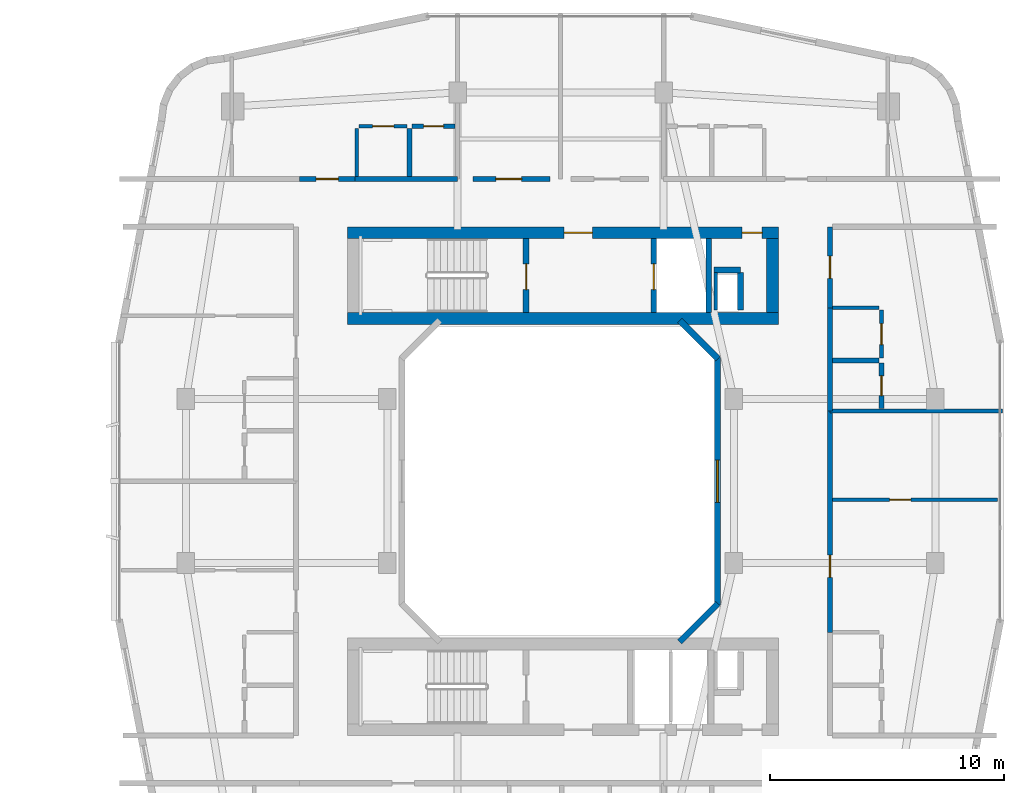
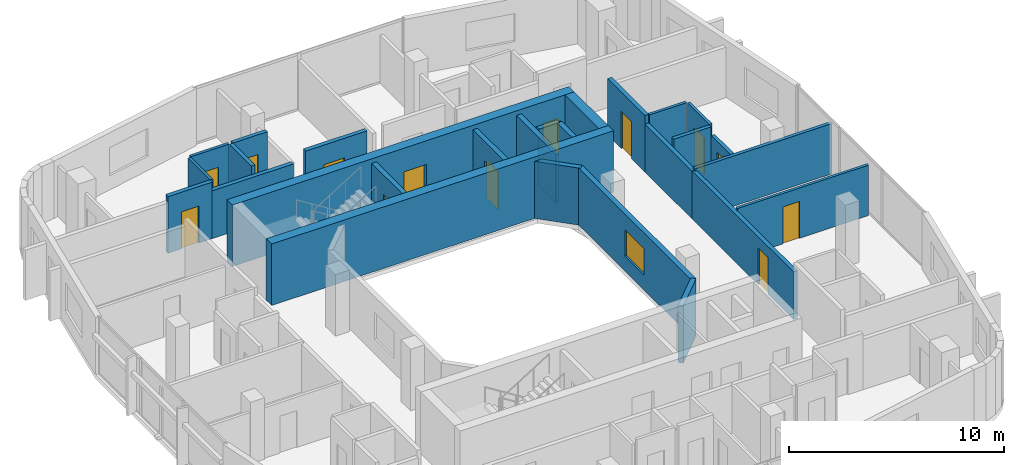
# One storey, part 19 of 26: 28 walls, 13 doors, 1 window, 14 openings.
"""IFC4 building model written with IfcOpenShell, lengths in metres."""

from ifc_helpers import new_model, si_unit, derived_unit, direction, frame, frame_2d, origin, place, context, subcontext, project, spatial, rectangle, extrude, material, layer, layer_set, type_object, element, fill, save


model = new_model("IFC4")

# Units and contexts
model_context = context("Model", 3, precision=1e-05, world=origin(), true_north=direction((0.0, 1.0)))
body_context = subcontext(model_context, "Body", "Model", "MODEL_VIEW")
ifc_project = project(units=[si_unit("LENGTHUNIT", "METRE"), si_unit("AREAUNIT", "SQUARE_METRE"), si_unit("VOLUMEUNIT", "CUBIC_METRE"), si_unit("PLANEANGLEUNIT", "RADIAN"), si_unit("MASSUNIT", "GRAM", prefix="KILO"), derived_unit("THERMALTRANSMITTANCEUNIT", [(si_unit("POWERUNIT", "WATT"), 1), (si_unit("LENGTHUNIT", "METRE"), -2), (si_unit("THERMODYNAMICTEMPERATUREUNIT", "KELVIN"), -1)])], contexts=[model_context])

# Site, building, storey
site_placement = place(None, origin())
site = spatial("IfcSite", under=ifc_project, at=site_placement, CompositionType="ELEMENT")
building_placement = place(site_placement, origin())
building = spatial("IfcBuilding", under=site, at=building_placement, Name="Kivonza Crest Hotel", CompositionType="ELEMENT")
storey_placement = place(building_placement, frame((0.0, 0.0, 62.5)))
storey = spatial("IfcBuildingStorey", under=building, at=storey_placement, Name="L16", CompositionType="ELEMENT", Elevation=62.5)

# Walls
ifc_material_1 = material(Name="High-density acoustic masonry inter-tenancy wall", Category="masonry")
ifc_layer_1 = layer(ifc_material_1, 0.179931640625)
ifc_layer_set_1 = layer_set([ifc_layer_1], Name="High-density acoustic masonry inter-tenancy wall")
wall_type_1 = type_object("IfcWallType", Name="WL-ACOU-180", PredefinedType="SOLIDWALL", material=ifc_layer_set_1)
wall_1_placement = place(storey_placement, frame((88.5, 28.0, 0.0), z_axis=(0.0, 0.0, 1.0), x_axis=(1.0, 0.0, 0.0)))
element("IfcWall", 1, at=wall_1_placement, inside=storey, type_object=wall_type_1, Name="L16 interior partition WA-L16-T2E-DIV1", PredefinedType="SOLIDWALL", context=body_context, shape_type="SweptSolid", body=[
    extrude(rectangle(XDim=7.360107421875, YDim=0.179931640625, at=frame_2d((3.68017578125, 0.0))), origin(), (0.0, 0.0, 1.0), 2.864990234375),
])
ifc_material_2 = material(Name="Autoclaved aerated concrete blockwork", Category="masonry")
ifc_layer_2 = layer(ifc_material_2, 0.219970703125)
ifc_layer_set_2 = layer_set([ifc_layer_2], Name="Autoclaved aerated concrete blockwork")
wall_type_2 = type_object("IfcWallType", Name="WL-ACOU-220", PredefinedType="SOLIDWALL", material=ifc_layer_set_2)
wall_2_placement = place(storey_placement, frame((68.219970703125, 37.89990234375, 0.0), z_axis=(0.0, 0.0, 1.0), x_axis=(1.0, 0.0, 0.0)))
element("IfcWall", 2, at=wall_2_placement, inside=storey, type_object=wall_type_2, Name="L16 interior partition WA-L16-A01-RCORR", PredefinedType="SOLIDWALL", context=body_context, shape_type="SweptSolid", body=[
    extrude(rectangle(XDim=4.380126953125, YDim=0.219970703125, at=frame_2d((2.18994140625, 0.0))), origin(), (0.0, 0.0, 1.0), 2.72509765625),
])

# Wall, opening, door
wall_3_placement = place(storey_placement, frame((65.85009765625, 37.89990234375, 0.0), z_axis=(0.0, 0.0, 1.0), x_axis=(1.0, 0.0, 0.0)))
wall_3 = element("IfcWall", 3, at=wall_3_placement, inside=storey, type_object=wall_type_2, Name="L16 interior partition WA-L16-A01-MCORR", PredefinedType="SOLIDWALL", context=body_context, shape_type="SweptSolid", body=[
    extrude(rectangle(XDim=2.369873046875, YDim=0.219970703125, at=frame_2d((1.18505859375, 0.0))), origin(), (0.0, 0.0, 1.0), 3.219970703125),
])
opening_1_placement = place(wall_3_placement, frame((0.7099609375, 0.0, 0.0)))
opening_1 = element("IfcOpeningElement", 4, at=opening_1_placement, cuts=wall_3, Name="Opening DU-60", PredefinedType="OPENING", context=body_context, shape_type="SweptSolid", body=[
    extrude(rectangle(XDim=0.949951171875, YDim=2.10009765625, at=frame_2d((0.47509765625, 1.050048828125))), frame((0.0, 0.1201171875, 0.0), z_axis=(0.0, -1.0, 0.0), x_axis=(1.0, 0.0, 0.0)), (0.0, 0.0, 1.0), 0.239990234375),
])
ifc_material_3 = material(Name="Hardwood timber oak", Category="wood")
door_type_1 = type_object("IfcDoorType", Name="DR-UNIT-950", OperationType="NOTDEFINED", PredefinedType="DOOR", material=ifc_material_3)
door_1_placement = place(opening_1_placement, origin())
door_1 = element("IfcDoor", 5, at=door_1_placement, inside=storey, type_object=door_type_1, Name="L16 A01 apartment entrance fire door", OperationType="SINGLE_SWING_LEFT", OverallHeight=2.10009765625, OverallWidth=0.949951171875, PredefinedType="DOOR", context=body_context, shape_type="SweptSolid", body=[
    extrude(rectangle(XDim=0.949951171875, YDim=2.10009765625, at=frame_2d((0.47509765625, 1.050048828125))), frame((0.0, 0.02490234375, 0.0), z_axis=(0.0, -1.0, 0.0), x_axis=(1.0, 0.0, 0.0)), (0.0, 0.0, 1.0), 0.050048828125),
])
fill(opening_1, door_1)

wall_4_placement = place(storey_placement, frame((73.25, 37.89990234375, 0.0), z_axis=(0.0, 0.0, 1.0), x_axis=(1.0, 0.0, 0.0)))
wall_4 = element("IfcWall", 6, at=wall_4_placement, inside=storey, type_object=wall_type_2, Name="L16 interior partition WA-L16-T2-OFF1-S", PredefinedType="SOLIDWALL", context=body_context, shape_type="SweptSolid", body=[
    extrude(rectangle(XDim=3.300048828125, YDim=0.219970703125, at=frame_2d((1.64990234375, 0.0))), origin(), (0.0, 0.0, 1.0), 3.219970703125),
])
opening_2_placement = place(wall_4_placement, frame((0.97998046875, 0.0, 0.0)))
opening_2 = element("IfcOpeningElement", 7, at=opening_2_placement, cuts=wall_4, Name="Opening DF-60M", PredefinedType="OPENING", context=body_context, shape_type="SweptSolid", body=[
    extrude(rectangle(XDim=1.10009765625, YDim=2.10009765625, at=frame_2d((0.550048828125, 1.050048828125))), frame((0.0, 0.1201171875, 0.0), z_axis=(0.0, -1.0, 0.0), x_axis=(1.0, 0.0, 0.0)), (0.0, 0.0, 1.0), 0.239990234375),
])
door_type_2 = type_object("IfcDoorType", Name="DR-FD60-1100", OperationType="NOTDEFINED", PredefinedType="DOOR", material=ifc_material_3)
door_2_placement = place(opening_2_placement, origin())
door_2 = element("IfcDoor", 8, at=door_2_placement, inside=storey, type_object=door_type_2, Name="L16 Resident Co-Working Study West door", OperationType="SINGLE_SWING_RIGHT", OverallHeight=2.10009765625, OverallWidth=1.10009765625, PredefinedType="DOOR", context=body_context, shape_type="SweptSolid", body=[
    extrude(rectangle(XDim=1.10009765625, YDim=2.10009765625, at=frame_2d((0.550048828125, 1.050048828125))), frame((0.0, 0.02490234375, 0.0), z_axis=(0.0, -1.0, 0.0), x_axis=(1.0, 0.0, 0.0)), (0.0, 0.0, 1.0), 0.050048828125),
])
fill(opening_2, door_2)

wall_5_placement = place(storey_placement, frame((88.5, 18.5400390625, 0.0), z_axis=(0.0, 0.0, 1.0), x_axis=(0.0, 1.0, 0.0)))
wall_5 = element("IfcWall", 9, at=wall_5_placement, inside=storey, type_object=wall_type_2, Name="L16 interior partition WA-L16-A07-MCORR", PredefinedType="SOLIDWALL", context=body_context, shape_type="SweptSolid", body=[
    extrude(rectangle(XDim=9.4599609375, YDim=0.219970703125, at=frame_2d((4.72998046875, 0.0))), origin(), (0.0, 0.0, 1.0), 2.72509765625),
])
opening_3_placement = place(wall_5_placement, frame((2.35498046875, 0.0, 0.0)))
opening_3 = element("IfcOpeningElement", 10, at=opening_3_placement, cuts=wall_5, Name="Opening DU-60", PredefinedType="OPENING", context=body_context, shape_type="SweptSolid", body=[
    extrude(rectangle(XDim=0.949951171875, YDim=2.10009765625, at=frame_2d((0.47509765625, 1.050048828125))), frame((0.0, 0.1201171875, 0.0), z_axis=(0.0, -1.0, 0.0), x_axis=(1.0, 0.0, 0.0)), (0.0, 0.0, 1.0), 0.239990234375),
])
door_3_placement = place(opening_3_placement, frame((0.949951171875, 0.0, 0.0), z_axis=(0.0, 0.0, 1.0), x_axis=(-1.0, 0.0, 0.0)))
door_3 = element("IfcDoor", 11, at=door_3_placement, inside=storey, type_object=door_type_1, Name="L16 A07 apartment entrance fire door", OperationType="SINGLE_SWING_LEFT", OverallHeight=2.10009765625, OverallWidth=0.949951171875, PredefinedType="DOOR", context=body_context, shape_type="SweptSolid", body=[
    extrude(rectangle(XDim=0.949951171875, YDim=2.10009765625, at=frame_2d((0.47509765625, 1.050048828125))), frame((0.0, 0.02490234375, 0.0), z_axis=(0.0, -1.0, 0.0), x_axis=(1.0, 0.0, 0.0)), (0.0, 0.0, 1.0), 0.050048828125),
])
fill(opening_3, door_3)

# Wall
wall_6_placement = place(storey_placement, frame((88.5, 28.0, 0.0), z_axis=(0.0, 0.0, 1.0), x_axis=(0.0, 1.0, 0.0)))
element("IfcWall", 12, at=wall_6_placement, inside=storey, type_object=wall_type_2, Name="L16 interior partition WA-L16-A08-BCORR", PredefinedType="SOLIDWALL", context=body_context, shape_type="SweptSolid", body=[
    extrude(rectangle(XDim=4.39990234375, YDim=0.219970703125, at=frame_2d((2.199951171875, 0.0))), origin(), (0.0, 0.0, 1.0), 2.72509765625),
])

# Wall, opening, door
wall_7_placement = place(storey_placement, frame((88.5, 32.39990234375, 0.0), z_axis=(0.0, 0.0, 1.0), x_axis=(0.0, 1.0, 0.0)))
wall_7 = element("IfcWall", 13, at=wall_7_placement, inside=storey, type_object=wall_type_2, Name="L16 interior partition WA-L16-A08-MCORR", PredefinedType="SOLIDWALL", context=body_context, shape_type="SweptSolid", body=[
    extrude(rectangle(XDim=3.460205078125, YDim=0.219970703125, at=frame_2d((1.72998046875, 0.0))), origin(), (0.0, 0.0, 1.0), 3.219970703125),
])
opening_4_placement = place(wall_7_placement, frame((1.2548828125, 0.0, 0.0)))
opening_4 = element("IfcOpeningElement", 14, at=opening_4_placement, cuts=wall_7, Name="Opening DU-60", PredefinedType="OPENING", context=body_context, shape_type="SweptSolid", body=[
    extrude(rectangle(XDim=0.949951171875, YDim=2.10009765625, at=frame_2d((0.47509765625, 1.050048828125))), frame((0.0, 0.1201171875, 0.0), z_axis=(0.0, -1.0, 0.0), x_axis=(1.0, 0.0, 0.0)), (0.0, 0.0, 1.0), 0.239990234375),
])
door_4_placement = place(opening_4_placement, frame((0.949951171875, 0.0, 0.0), z_axis=(0.0, 0.0, 1.0), x_axis=(-1.0, 0.0, 0.0)))
door_4 = element("IfcDoor", 15, at=door_4_placement, inside=storey, type_object=door_type_1, Name="L16 A08 apartment entrance fire door", OperationType="SINGLE_SWING_RIGHT", OverallHeight=2.10009765625, OverallWidth=0.949951171875, PredefinedType="DOOR", context=body_context, shape_type="SweptSolid", body=[
    extrude(rectangle(XDim=0.949951171875, YDim=2.10009765625, at=frame_2d((0.47509765625, 1.050048828125))), frame((0.0, 0.02490234375, 0.0), z_axis=(0.0, -1.0, 0.0), x_axis=(1.0, 0.0, 0.0)), (0.0, 0.0, 1.0), 0.050048828125),
])
fill(opening_4, door_4)

# Wall
ifc_material_4 = material(Name="Concrete C60/75", Category="concrete")
ifc_layer_3 = layer(ifc_material_4, 0.5)
ifc_layer_set_3 = layer_set([ifc_layer_3], Name="Concrete C60/75")
wall_type_3 = type_object("IfcWallType", Name="WL-CORE-500", PredefinedType="SHEAR", material=ifc_layer_set_3)
wall_8_placement = place(storey_placement, frame((67.89990234375, 31.949951171875, 0.0), z_axis=(0.0, 0.0, 1.0), x_axis=(1.0, 0.0, 0.0)))
element("IfcWall", 16, at=wall_8_placement, inside=storey, type_object=wall_type_3, Name="Core wall T2-N South L16", PredefinedType="SHEAR", context=body_context, shape_type="SweptSolid", body=[
    extrude(rectangle(XDim=18.400146484375, YDim=0.5, at=frame_2d((9.2001953125, 0.0))), origin(), (0.0, 0.0, 1.0), 3.5),
])

# Wall, openings, doors
wall_9_placement = place(storey_placement, frame((67.89990234375, 35.610107421875, 0.0), z_axis=(0.0, 0.0, 1.0), x_axis=(1.0, 0.0, 0.0)))
wall_9 = element("IfcWall", 17, at=wall_9_placement, inside=storey, type_object=wall_type_3, Name="Core wall T2-N North L16", PredefinedType="SHEAR", context=body_context, shape_type="SweptSolid", body=[
    extrude(rectangle(XDim=18.400146484375, YDim=0.5, at=frame_2d((9.2001953125, 0.0))), origin(), (0.0, 0.0, 1.0), 3.5),
])
opening_5_placement = place(wall_9_placement, frame((9.25, 0.0, 0.0)))
opening_5 = element("IfcOpeningElement", 18, at=opening_5_placement, cuts=wall_9, Name="Opening DF-60", PredefinedType="OPENING", context=body_context, shape_type="SweptSolid", body=[
    extrude(rectangle(XDim=1.199951171875, YDim=2.14990234375, at=frame_2d((0.60009765625, 1.074951171875))), frame((0.0, 0.260009765625, 0.0), z_axis=(0.0, -1.0, 0.0), x_axis=(1.0, 0.0, 0.0)), (0.0, 0.0, 1.0), 0.52001953125),
])
opening_6_placement = place(wall_9_placement, frame((16.85009765625, 0.0, 0.0)))
opening_6 = element("IfcOpeningElement", 19, at=opening_6_placement, cuts=wall_9, Name="Opening DF-60R", PredefinedType="OPENING", context=body_context, shape_type="SweptSolid", body=[
    extrude(rectangle(XDim=0.85009765625, YDim=2.10009765625, at=frame_2d((0.425048828125, 1.050048828125))), frame((0.0, 0.260009765625, 0.0), z_axis=(0.0, -1.0, 0.0), x_axis=(1.0, 0.0, 0.0)), (0.0, 0.0, 1.0), 0.52001953125),
])
door_type_3 = type_object("IfcDoorType", Name="DR-FD60-1200", OperationType="NOTDEFINED", PredefinedType="DOOR", material=ifc_material_3)
door_5_placement = place(opening_5_placement, origin())
door_5 = element("IfcDoor", 20, at=door_5_placement, inside=storey, type_object=door_type_3, Name="L16 T2-N firefighting lobby fire door", OperationType="SINGLE_SWING_RIGHT", OverallHeight=2.14990234375, OverallWidth=1.199951171875, PredefinedType="DOOR", context=body_context, shape_type="SweptSolid", body=[
    extrude(rectangle(XDim=1.199951171875, YDim=2.14990234375, at=frame_2d((0.60009765625, 1.074951171875))), frame((0.0, 0.02490234375, 0.0), z_axis=(0.0, -1.0, 0.0), x_axis=(1.0, 0.0, 0.0)), (0.0, 0.0, 1.0), 0.050048828125),
])
fill(opening_5, door_5)
door_type_4 = type_object("IfcDoorType", Name="DR-FD60-850", OperationType="NOTDEFINED", PredefinedType="DOOR", material=ifc_material_3)
door_6_placement = place(opening_6_placement, origin())
door_6 = element("IfcDoor", 21, at=door_6_placement, inside=storey, type_object=door_type_4, Name="L16 T2-N core room door", OperationType="SINGLE_SWING_RIGHT", OverallHeight=2.10009765625, OverallWidth=0.85009765625, PredefinedType="DOOR", context=body_context, shape_type="SweptSolid", body=[
    extrude(rectangle(XDim=0.85009765625, YDim=2.10009765625, at=frame_2d((0.425048828125, 1.050048828125))), frame((0.0, 0.02490234375, 0.0), z_axis=(0.0, -1.0, 0.0), x_axis=(1.0, 0.0, 0.0)), (0.0, 0.0, 1.0), 0.050048828125),
])
fill(opening_6, door_6)

# Walls
wall_10_placement = place(storey_placement, frame((86.050048828125, 32.199951171875, 0.0), z_axis=(0.0, 0.0, 1.0), x_axis=(0.0, 1.0, 0.0)))
element("IfcWall", 22, at=wall_10_placement, inside=storey, type_object=wall_type_3, Name="Core wall T2-N East L16", PredefinedType="SHEAR", context=body_context, shape_type="SweptSolid", body=[
    extrude(rectangle(XDim=3.16015625, YDim=0.5, at=frame_2d((1.580078125, 0.0))), origin(), (0.0, 0.0, 1.0), 3.5),
])
ifc_material_5 = material(Name="Precast concrete C40/50", Category="concrete")
ifc_layer_4 = layer(ifc_material_5, 0.260009765625)
ifc_layer_set_4 = layer_set([ifc_layer_4], Name="Precast concrete C40/50")
wall_type_4 = type_object("IfcWallType", Name="WL-EXT-260", PredefinedType="STANDARD", material=ifc_layer_set_4)
wall_11_placement = place(storey_placement, frame((82.08203125, 18.137939453125, 0.0), z_axis=(0.0, 0.0, 1.0), x_axis=(0.707106781187, 0.707106781187, 0.0)))
element("IfcWall", 23, at=wall_11_placement, inside=storey, type_object=wall_type_4, Name="L16 T2 light-well exterior wall 2", PredefinedType="STANDARD", context=body_context, shape_type="SweptSolid", body=[
    extrude(rectangle(XDim=2.310791015625, YDim=0.260009765625, at=frame_2d((1.1552734375, 0.0))), origin(), (0.0, 0.0, 1.0), 3.25),
])

# Wall, opening, window
wall_12_placement = place(storey_placement, frame((83.68994140625, 19.7099609375, 0.0), z_axis=(0.0, 0.0, 1.0), x_axis=(0.0, 1.0, 0.0)))
wall_12 = element("IfcWall", 24, at=wall_12_placement, inside=storey, type_object=wall_type_4, Name="L16 T2 light-well exterior wall 3", PredefinedType="STANDARD", context=body_context, shape_type="SweptSolid", body=[
    extrude(rectangle(XDim=10.580078125, YDim=0.260009765625, at=frame_2d((5.2900390625, 0.0))), origin(), (0.0, 0.0, 1.0), 3.25),
])
opening_7_placement = place(wall_12_placement, frame((4.389892578125, 0.0, 0.85009765625)))
opening_7 = element("IfcOpeningElement", 25, at=opening_7_placement, cuts=wall_12, Name="Opening WN-03", PredefinedType="OPENING", context=body_context, shape_type="SweptSolid", body=[
    extrude(rectangle(XDim=1.800048828125, YDim=1.5, at=frame_2d((0.89990234375, 0.75))), frame((0.0, 0.14013671875, 0.0), z_axis=(0.0, -1.0, 0.0), x_axis=(1.0, 0.0, 0.0)), (0.0, 0.0, 1.0), 0.280029296875),
])
ifc_material_6 = material(Name="Thermally broken bronze aluminium and low-E double glazing", Category="aluminium")
window_type = type_object("IfcWindowType", Name="WN-180x150", PartitioningType="DOUBLE_PANEL_VERTICAL", PredefinedType="WINDOW", material=ifc_material_6)
window_placement = place(opening_7_placement, origin())
window = element("IfcWindow", 26, at=window_placement, inside=storey, type_object=window_type, Name="L16 T2 light-well window 3", OverallHeight=1.5, OverallWidth=1.800048828125, PartitioningType="SINGLE_PANEL", PredefinedType="WINDOW", context=body_context, shape_type="SweptSolid", body=[
    extrude(rectangle(XDim=1.800048828125, YDim=1.5, at=frame_2d((0.89990234375, 0.75))), frame((0.0, 0.030029296875, 0.0), z_axis=(0.0, -1.0, 0.0), x_axis=(1.0, 0.0, 0.0)), (0.0, 0.0, 1.0), 0.06005859375),
])
fill(opening_7, window)

# Walls
wall_13_placement = place(storey_placement, frame((83.716064453125, 30.22802734375, 0.0), z_axis=(0.0, 0.0, 1.0), x_axis=(-0.707106781187, 0.707106781187, 0.0)))
element("IfcWall", 27, at=wall_13_placement, inside=storey, type_object=wall_type_4, Name="L16 T2 light-well exterior wall 4", PredefinedType="STANDARD", context=body_context, shape_type="SweptSolid", body=[
    extrude(rectangle(XDim=2.310791015625, YDim=0.260009765625, at=frame_2d((1.1552734375, 0.0))), origin(), (0.0, 0.0, 1.0), 3.25),
])
ifc_material_7 = material(Name="Concrete blockwork fire-compartment wall", Category="masonry")
ifc_layer_5 = layer(ifc_material_7, 0.25)
ifc_layer_set_5 = layer_set([ifc_layer_5], Name="Concrete blockwork fire-compartment wall")
wall_type_5 = type_object("IfcWallType", Name="WL-FIRE-250", PredefinedType="SOLIDWALL", material=ifc_layer_set_5)
wall_14_placement = place(storey_placement, frame((84.679931640625, 32.300048828125, 0.0), z_axis=(0.0, 0.0, 1.0), x_axis=(0.0, 1.0, 0.0)))
element("IfcWall", 28, at=wall_14_placement, inside=storey, type_object=wall_type_5, Name="L16 interior partition WA-L16-T2-N-MEPR-E", PredefinedType="SOLIDWALL", context=body_context, shape_type="SweptSolid", body=[
    extrude(rectangle(XDim=1.619873046875, YDim=0.25, at=frame_2d((0.81005859375, 0.0))), origin(), (0.0, 0.0, 1.0), 3.219970703125),
])
wall_15_placement = place(storey_placement, frame((83.550048828125, 34.02001953125, 0.0), z_axis=(0.0, 0.0, 1.0), x_axis=(1.0, 0.0, 0.0)))
element("IfcWall", 29, at=wall_15_placement, inside=storey, type_object=wall_type_5, Name="L16 interior partition WA-L16-T2-N-MEPR-H", PredefinedType="SOLIDWALL", context=body_context, shape_type="SweptSolid", body=[
    extrude(rectangle(XDim=1.1298828125, YDim=0.25, at=frame_2d((0.56494140625, 0.0))), origin(), (0.0, 0.0, 1.0), 3.219970703125),
])
ifc_material_8 = material(Name="Twin-stud acoustic gypsum board partition", Category="gypsum")
ifc_layer_6 = layer(ifc_material_8, 0.14990234375)
ifc_layer_set_6 = layer_set([ifc_layer_6], Name="Twin-stud acoustic gypsum board partition")
wall_type_6 = type_object("IfcWallType", Name="WL-PART-150", PredefinedType="PARTITIONING", material=ifc_layer_set_6)
wall_16_placement = place(storey_placement, frame((83.6298828125, 32.300048828125, 0.0), z_axis=(0.0, 0.0, 1.0), x_axis=(0.0, 1.0, 0.0)))
element("IfcWall", 30, at=wall_16_placement, inside=storey, type_object=wall_type_6, Name="L16 interior partition WA-L16-T2-N-MEPR-W", PredefinedType="PARTITIONING", context=body_context, shape_type="SweptSolid", body=[
    extrude(rectangle(XDim=1.619873046875, YDim=0.14990234375, at=frame_2d((0.81005859375, 0.0))), origin(), (0.0, 0.0, 1.0), 2.72509765625),
])
wall_17_placement = place(storey_placement, frame((68.300048828125, 38.0, 0.0), z_axis=(0.0, 0.0, 1.0), x_axis=(0.0, 1.0, 0.0)))
element("IfcWall", 31, at=wall_17_placement, inside=storey, type_object=wall_type_6, Name="L16 interior partition WP-L16-A01-KF", PredefinedType="PARTITIONING", context=body_context, shape_type="SweptSolid", body=[
    extrude(rectangle(XDim=2.050048828125, YDim=0.14990234375, at=frame_2d((1.02490234375, 0.0))), origin(), (0.0, 0.0, 1.0), 3.219970703125),
])

# Wall, opening, door
wall_18_placement = place(storey_placement, frame((68.39990234375, 40.14990234375, 0.0), z_axis=(0.0, 0.0, 1.0), x_axis=(1.0, 0.0, 0.0)))
wall_18 = element("IfcWall", 32, at=wall_18_placement, inside=storey, type_object=wall_type_6, Name="L16 interior partition WP-L16-A01-KSVC", PredefinedType="PARTITIONING", context=body_context, shape_type="SweptSolid", body=[
    extrude(rectangle(XDim=2.050048828125, YDim=0.14990234375, at=frame_2d((1.02490234375, 0.0))), origin(), (0.0, 0.0, 1.0), 3.219970703125),
])
opening_8_placement = place(wall_18_placement, frame((0.574951171875, 0.0, 0.0)))
opening_8 = element("IfcOpeningElement", 33, at=opening_8_placement, cuts=wall_18, Name="Opening DI-90", PredefinedType="OPENING", context=body_context, shape_type="SweptSolid", body=[
    extrude(rectangle(XDim=0.89990234375, YDim=2.10009765625, at=frame_2d((0.449951171875, 1.050048828125))), frame((0.0, 0.0849609375, 0.0), z_axis=(0.0, -1.0, 0.0), x_axis=(1.0, 0.0, 0.0)), (0.0, 0.0, 1.0), 0.169921875),
])
door_type_5 = type_object("IfcDoorType", Name="DR-INT-900", OperationType="NOTDEFINED", PredefinedType="DOOR", material=ifc_material_3)
door_7_placement = place(opening_8_placement, origin())
door_7 = element("IfcDoor", 34, at=door_7_placement, inside=storey, type_object=door_type_5, Name="L16 A01 apartment kitchen door", OperationType="SINGLE_SWING_LEFT", OverallHeight=2.10009765625, OverallWidth=0.89990234375, PredefinedType="DOOR", context=body_context, shape_type="SweptSolid", body=[
    extrude(rectangle(XDim=0.89990234375, YDim=2.10009765625, at=frame_2d((0.449951171875, 1.050048828125))), frame((0.0, 0.02490234375, 0.0), z_axis=(0.0, -1.0, 0.0), x_axis=(1.0, 0.0, 0.0)), (0.0, 0.0, 1.0), 0.050048828125),
])
fill(opening_8, door_7)

wall_19_placement = place(storey_placement, frame((88.60009765625, 24.199951171875, 0.0), z_axis=(0.0, 0.0, 1.0), x_axis=(1.0, 0.0, 0.0)))
wall_19 = element("IfcWall", 35, at=wall_19_placement, inside=storey, type_object=wall_type_6, Name="L16 interior partition WP-L16-A07-BD1", PredefinedType="PARTITIONING", context=body_context, shape_type="SweptSolid", body=[
    extrude(rectangle(XDim=7.059814453125, YDim=0.14990234375, at=frame_2d((3.52978515625, 0.0))), origin(), (0.0, 0.0, 1.0), 2.864990234375),
])
opening_9_placement = place(wall_19_placement, frame((2.449951171875, 0.0, 0.0)))
opening_9 = element("IfcOpeningElement", 36, at=opening_9_placement, cuts=wall_19, Name="Opening DI-90", PredefinedType="OPENING", context=body_context, shape_type="SweptSolid", body=[
    extrude(rectangle(XDim=0.89990234375, YDim=2.10009765625, at=frame_2d((0.449951171875, 1.050048828125))), frame((0.0, 0.0849609375, 0.0), z_axis=(0.0, -1.0, 0.0), x_axis=(1.0, 0.0, 0.0)), (0.0, 0.0, 1.0), 0.169921875),
])
door_8_placement = place(opening_9_placement, origin())
door_8 = element("IfcDoor", 37, at=door_8_placement, inside=storey, type_object=door_type_5, Name="L16 A07 bedroom door", OperationType="SINGLE_SWING_RIGHT", OverallHeight=2.10009765625, OverallWidth=0.89990234375, PredefinedType="DOOR", context=body_context, shape_type="SweptSolid", body=[
    extrude(rectangle(XDim=0.89990234375, YDim=2.10009765625, at=frame_2d((0.449951171875, 1.050048828125))), frame((0.0, 0.02490234375, 0.0), z_axis=(0.0, -1.0, 0.0), x_axis=(1.0, 0.0, 0.0)), (0.0, 0.0, 1.0), 0.050048828125),
])
fill(opening_9, door_8)

# Wall
wall_20_placement = place(storey_placement, frame((88.60009765625, 32.39990234375, 0.0), z_axis=(0.0, 0.0, 1.0), x_axis=(1.0, 0.0, 0.0)))
element("IfcWall", 38, at=wall_20_placement, inside=storey, type_object=wall_type_6, Name="L16 interior partition WP-L16-A08-KF", PredefinedType="PARTITIONING", context=body_context, shape_type="SweptSolid", body=[
    extrude(rectangle(XDim=2.0, YDim=0.14990234375, at=frame_2d((1.0, 0.0))), origin(), (0.0, 0.0, 1.0), 3.219970703125),
])

# Wall, opening, door
wall_21_placement = place(storey_placement, frame((90.699951171875, 30.25, 0.0), z_axis=(0.0, 0.0, 1.0), x_axis=(0.0, 1.0, 0.0)))
wall_21 = element("IfcWall", 39, at=wall_21_placement, inside=storey, type_object=wall_type_6, Name="L16 interior partition WP-L16-A08-KSVC", PredefinedType="PARTITIONING", context=body_context, shape_type="SweptSolid", body=[
    extrude(rectangle(XDim=2.050048828125, YDim=0.14990234375, at=frame_2d((1.02490234375, 0.0))), origin(), (0.0, 0.0, 1.0), 3.219970703125),
])
opening_10_placement = place(wall_21_placement, frame((0.574951171875, 0.0, 0.0)))
opening_10 = element("IfcOpeningElement", 40, at=opening_10_placement, cuts=wall_21, Name="Opening DI-90", PredefinedType="OPENING", context=body_context, shape_type="SweptSolid", body=[
    extrude(rectangle(XDim=0.89990234375, YDim=2.10009765625, at=frame_2d((0.449951171875, 1.050048828125))), frame((0.0, 0.0849609375, 0.0), z_axis=(0.0, -1.0, 0.0), x_axis=(1.0, 0.0, 0.0)), (0.0, 0.0, 1.0), 0.169921875),
])
door_9_placement = place(opening_10_placement, frame((0.89990234375, 0.0, 0.0), z_axis=(0.0, 0.0, 1.0), x_axis=(-1.0, 0.0, 0.0)))
door_9 = element("IfcDoor", 41, at=door_9_placement, inside=storey, type_object=door_type_5, Name="L16 A08 apartment kitchen door", OperationType="SINGLE_SWING_RIGHT", OverallHeight=2.10009765625, OverallWidth=0.89990234375, PredefinedType="DOOR", context=body_context, shape_type="SweptSolid", body=[
    extrude(rectangle(XDim=0.89990234375, YDim=2.10009765625, at=frame_2d((0.449951171875, 1.050048828125))), frame((0.0, 0.02490234375, 0.0), z_axis=(0.0, -1.0, 0.0), x_axis=(1.0, 0.0, 0.0)), (0.0, 0.0, 1.0), 0.050048828125),
])
fill(opening_10, door_9)

# Wall
ifc_material_9 = material(Name="Moisture-resistant plumbing chase partition wall", Category="gypsum")
ifc_layer_7 = layer(ifc_material_9, 0.199951171875)
ifc_layer_set_7 = layer_set([ifc_layer_7], Name="Moisture-resistant plumbing chase partition wall")
wall_type_7 = type_object("IfcWallType", Name="WL-PLUMB-200", PredefinedType="PLUMBINGWALL", material=ifc_layer_set_7)
wall_22_placement = place(storey_placement, frame((70.550048828125, 38.0, 0.0), z_axis=(0.0, 0.0, 1.0), x_axis=(0.0, 1.0, 0.0)))
element("IfcWall", 42, at=wall_22_placement, inside=storey, type_object=wall_type_7, Name="L16 interior partition WW-L16-A01-BK", PredefinedType="PLUMBINGWALL", context=body_context, shape_type="SweptSolid", body=[
    extrude(rectangle(XDim=2.050048828125, YDim=0.199951171875, at=frame_2d((1.02490234375, 0.0))), origin(), (0.0, 0.0, 1.0), 3.219970703125),
])

# Wall, opening, door
wall_23_placement = place(storey_placement, frame((70.64990234375, 40.14990234375, 0.0), z_axis=(0.0, 0.0, 1.0), x_axis=(1.0, 0.0, 0.0)))
wall_23 = element("IfcWall", 43, at=wall_23_placement, inside=storey, type_object=wall_type_7, Name="L16 interior partition WW-L16-A01-BSVC", PredefinedType="PLUMBINGWALL", context=body_context, shape_type="SweptSolid", body=[
    extrude(rectangle(XDim=1.85009765625, YDim=0.199951171875, at=frame_2d((0.925048828125, 0.0))), origin(), (0.0, 0.0, 1.0), 3.219970703125),
])
opening_11_placement = place(wall_23_placement, frame((0.5, 0.0, 0.0)))
opening_11 = element("IfcOpeningElement", 44, at=opening_11_placement, cuts=wall_23, Name="Opening DI-85", PredefinedType="OPENING", context=body_context, shape_type="SweptSolid", body=[
    extrude(rectangle(XDim=0.85009765625, YDim=2.10009765625, at=frame_2d((0.425048828125, 1.050048828125))), frame((0.0, 0.10986328125, 0.0), z_axis=(0.0, -1.0, 0.0), x_axis=(1.0, 0.0, 0.0)), (0.0, 0.0, 1.0), 0.219970703125),
])
door_type_6 = type_object("IfcDoorType", Name="DR-INT-850", OperationType="NOTDEFINED", PredefinedType="DOOR", material=ifc_material_3)
door_10_placement = place(opening_11_placement, origin())
door_10 = element("IfcDoor", 45, at=door_10_placement, inside=storey, type_object=door_type_6, Name="L16 A01 apartment bathroom door", OperationType="SINGLE_SWING_RIGHT", OverallHeight=2.10009765625, OverallWidth=0.85009765625, PredefinedType="DOOR", context=body_context, shape_type="SweptSolid", body=[
    extrude(rectangle(XDim=0.85009765625, YDim=2.10009765625, at=frame_2d((0.425048828125, 1.050048828125))), frame((0.0, 0.02490234375, 0.0), z_axis=(0.0, -1.0, 0.0), x_axis=(1.0, 0.0, 0.0)), (0.0, 0.0, 1.0), 0.050048828125),
])
fill(opening_11, door_10)

# Wall
wall_24_placement = place(storey_placement, frame((88.60009765625, 30.14990234375, 0.0), z_axis=(0.0, 0.0, 1.0), x_axis=(1.0, 0.0, 0.0)))
element("IfcWall", 46, at=wall_24_placement, inside=storey, type_object=wall_type_7, Name="L16 interior partition WW-L16-A08-BK", PredefinedType="PLUMBINGWALL", context=body_context, shape_type="SweptSolid", body=[
    extrude(rectangle(XDim=2.0, YDim=0.199951171875, at=frame_2d((1.0, 0.0))), origin(), (0.0, 0.0, 1.0), 3.219970703125),
])

# Wall, opening, door
wall_25_placement = place(storey_placement, frame((90.699951171875, 28.10009765625, 0.0), z_axis=(0.0, 0.0, 1.0), x_axis=(0.0, 1.0, 0.0)))
wall_25 = element("IfcWall", 47, at=wall_25_placement, inside=storey, type_object=wall_type_7, Name="L16 interior partition WW-L16-A08-BSVC", PredefinedType="PLUMBINGWALL", context=body_context, shape_type="SweptSolid", body=[
    extrude(rectangle(XDim=1.949951171875, YDim=0.199951171875, at=frame_2d((0.97509765625, 0.0))), origin(), (0.0, 0.0, 1.0), 2.72509765625),
])
opening_12_placement = place(wall_25_placement, frame((0.550048828125, 0.0, 0.0)))
opening_12 = element("IfcOpeningElement", 48, at=opening_12_placement, cuts=wall_25, Name="Opening DI-85", PredefinedType="OPENING", context=body_context, shape_type="SweptSolid", body=[
    extrude(rectangle(XDim=0.85009765625, YDim=2.10009765625, at=frame_2d((0.425048828125, 1.050048828125))), frame((0.0, 0.10986328125, 0.0), z_axis=(0.0, -1.0, 0.0), x_axis=(1.0, 0.0, 0.0)), (0.0, 0.0, 1.0), 0.219970703125),
])
door_11_placement = place(opening_12_placement, frame((0.85009765625, 0.0, 0.0), z_axis=(0.0, 0.0, 1.0), x_axis=(-1.0, 0.0, 0.0)))
door_11 = element("IfcDoor", 49, at=door_11_placement, inside=storey, type_object=door_type_6, Name="L16 A08 apartment bathroom door", OperationType="SINGLE_SWING_LEFT", OverallHeight=2.10009765625, OverallWidth=0.85009765625, PredefinedType="DOOR", context=body_context, shape_type="SweptSolid", body=[
    extrude(rectangle(XDim=0.85009765625, YDim=2.10009765625, at=frame_2d((0.425048828125, 1.050048828125))), frame((0.0, 0.02490234375, 0.0), z_axis=(0.0, -1.0, 0.0), x_axis=(1.0, 0.0, 0.0)), (0.0, 0.0, 1.0), 0.050048828125),
])
fill(opening_12, door_11)

ifc_material_10 = material(Name="Concrete C50/60", Category="concrete")
ifc_layer_8 = layer(ifc_material_10, 0.25)
ifc_layer_set_8 = layer_set([ifc_layer_8], Name="Concrete C50/60")
wall_type_8 = type_object("IfcWallType", Name="WL-SHAFT-250", PredefinedType="STANDARD", material=ifc_layer_set_8)
wall_26_placement = place(storey_placement, frame((75.52490234375, 32.199951171875, 0.0), z_axis=(0.0, 0.0, 1.0), x_axis=(0.0, 1.0, 0.0)))
wall_26 = element("IfcWall", 50, at=wall_26_placement, inside=storey, type_object=wall_type_8, Name="Core shaft wall T2-N STAIR L16", PredefinedType="STANDARD", context=body_context, shape_type="SweptSolid", body=[
    extrude(rectangle(XDim=3.16015625, YDim=0.25, at=frame_2d((1.580078125, 0.0))), origin(), (0.0, 0.0, 1.0), 3.25),
])
opening_13_placement = place(wall_26_placement, frame((0.97998046875, 0.0, 0.0)))
opening_13 = element("IfcOpeningElement", 51, at=opening_13_placement, cuts=wall_26, Name="Opening DF-120", PredefinedType="OPENING", context=body_context, shape_type="SweptSolid", body=[
    extrude(rectangle(XDim=1.10009765625, YDim=2.14990234375, at=frame_2d((0.550048828125, 1.074951171875))), frame((0.0, 0.135009765625, 0.0), z_axis=(0.0, -1.0, 0.0), x_axis=(1.0, 0.0, 0.0)), (0.0, 0.0, 1.0), 0.27001953125),
])
ifc_material_11 = material(Name="Galvanised steel", Category="steel")
door_type_7 = type_object("IfcDoorType", Name="DR-FD120-1100", OperationType="NOTDEFINED", PredefinedType="DOOR", material=ifc_material_11)
door_12_placement = place(opening_13_placement, frame((1.10009765625, 0.0, 0.0), z_axis=(0.0, 0.0, 1.0), x_axis=(-1.0, 0.0, 0.0)))
door_12 = element("IfcDoor", 52, at=door_12_placement, inside=storey, type_object=door_type_7, Name="L16 T2-N stair fire door", OperationType="SINGLE_SWING_LEFT", OverallHeight=2.14990234375, OverallWidth=1.10009765625, PredefinedType="DOOR", context=body_context, shape_type="SweptSolid", body=[
    extrude(rectangle(XDim=1.10009765625, YDim=2.14990234375, at=frame_2d((0.550048828125, 1.074951171875))), frame((0.0, 0.02490234375, 0.0), z_axis=(0.0, -1.0, 0.0), x_axis=(1.0, 0.0, 0.0)), (0.0, 0.0, 1.0), 0.050048828125),
])
fill(opening_13, door_12)

wall_27_placement = place(storey_placement, frame((80.97509765625, 32.199951171875, 0.0), z_axis=(0.0, 0.0, 1.0), x_axis=(0.0, 1.0, 0.0)))
wall_27 = element("IfcWall", 53, at=wall_27_placement, inside=storey, type_object=wall_type_8, Name="Core shaft wall T2-N FFL-W L16", PredefinedType="STANDARD", context=body_context, shape_type="SweptSolid", body=[
    extrude(rectangle(XDim=3.16015625, YDim=0.25, at=frame_2d((1.580078125, 0.0))), origin(), (0.0, 0.0, 1.0), 3.25),
])
opening_14_placement = place(wall_27_placement, frame((0.97998046875, 0.0, 0.0)))
opening_14 = element("IfcOpeningElement", 54, at=opening_14_placement, cuts=wall_27, Name="Opening LD-120", PredefinedType="OPENING", context=body_context, shape_type="SweptSolid", body=[
    extrude(rectangle(XDim=1.10009765625, YDim=2.14990234375, at=frame_2d((0.550048828125, 1.074951171875))), frame((0.0, 0.135009765625, 0.0), z_axis=(0.0, -1.0, 0.0), x_axis=(1.0, 0.0, 0.0)), (0.0, 0.0, 1.0), 0.27001953125),
])
ifc_material_12 = material(Name="Stainless steel", Category="steel")
door_type_8 = type_object("IfcDoorType", Name="DR-LD120-1100", OperationType="NOTDEFINED", PredefinedType="DOOR", material=ifc_material_12)
door_13_placement = place(opening_14_placement, origin())
door_13 = element("IfcDoor", 55, at=door_13_placement, inside=storey, type_object=door_type_8, Name="L16 FFL-T2 firefighting lift sliding landing door", OperationType="DOUBLE_DOOR_SLIDING", OverallHeight=2.14990234375, OverallWidth=1.10009765625, PredefinedType="DOOR", context=body_context, shape_type="SweptSolid", body=[
    extrude(rectangle(XDim=1.10009765625, YDim=2.14990234375, at=frame_2d((0.550048828125, 1.074951171875))), frame((0.0, 0.02490234375, 0.0), z_axis=(0.0, -1.0, 0.0), x_axis=(1.0, 0.0, 0.0)), (0.0, 0.0, 1.0), 0.050048828125),
])
fill(opening_14, door_13)

# Wall
wall_28_placement = place(storey_placement, frame((83.324951171875, 32.199951171875, 0.0), z_axis=(0.0, 0.0, 1.0), x_axis=(0.0, 1.0, 0.0)))
element("IfcWall", 56, at=wall_28_placement, inside=storey, type_object=wall_type_8, Name="Core shaft wall T2-N FFL-E L16", PredefinedType="STANDARD", context=body_context, shape_type="SweptSolid", body=[
    extrude(rectangle(XDim=3.16015625, YDim=0.25, at=frame_2d((1.580078125, 0.0))), origin(), (0.0, 0.0, 1.0), 3.25),
])

save(model, "model.ifc")
